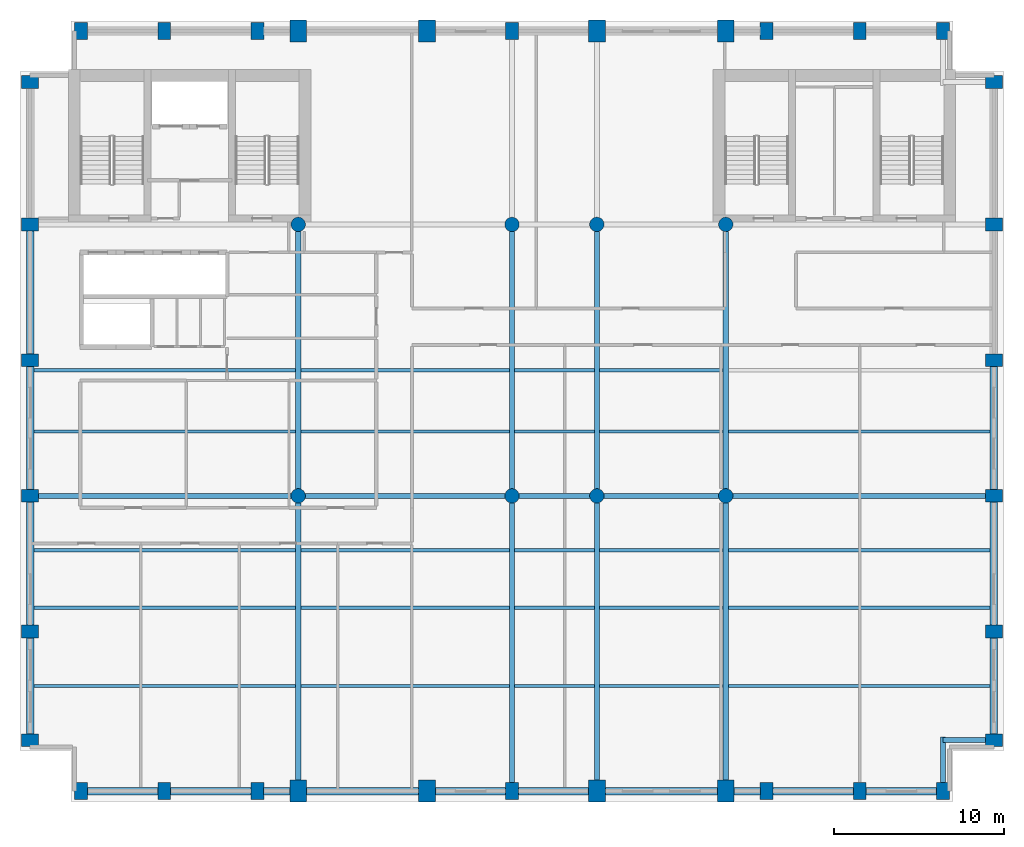
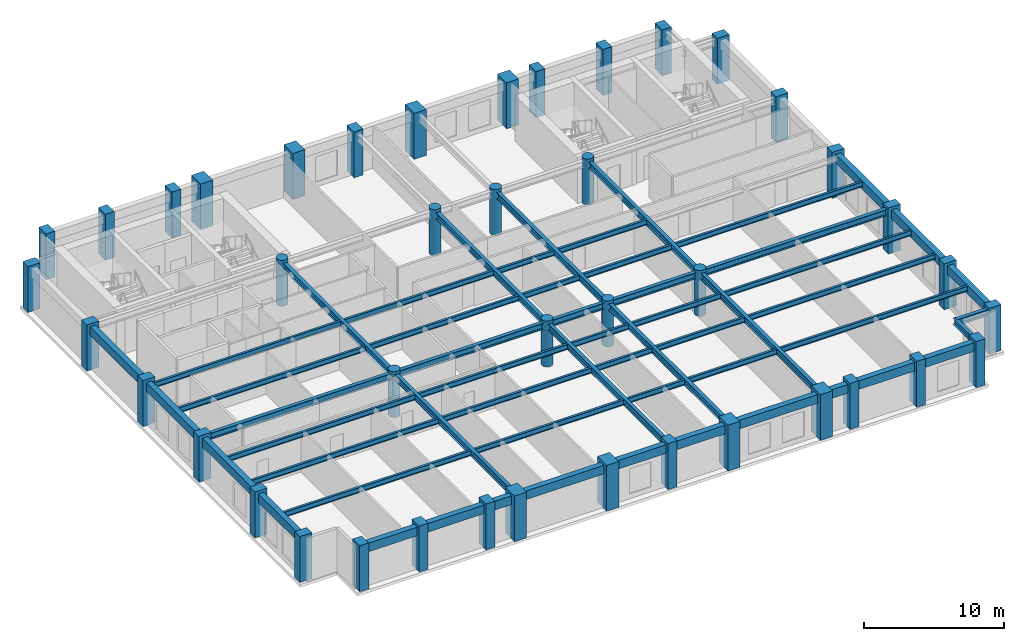
# One storey, part 1 of 8: 56 beams, 42 columns.
"""IFC4 building model written with IfcOpenShell, lengths in metres."""

from ifc_helpers import new_model, si_unit, direction, frame, origin, origin_2d, place, context, subcontext, project, spatial, rectangle, circle, i_section, extrude, material, material_profile, profile_set, type_object, element, save


model = new_model("IFC4")

# Units and contexts
model_context = context("Model", 3, precision=1e-05, world=origin(), true_north=direction((0.0, 1.0)))
body_context = subcontext(model_context, "Body", "Model", "MODEL_VIEW")
ifc_project = project(units=[si_unit("LENGTHUNIT", "METRE"), si_unit("AREAUNIT", "SQUARE_METRE"), si_unit("VOLUMEUNIT", "CUBIC_METRE"), si_unit("PLANEANGLEUNIT", "RADIAN"), si_unit("MASSUNIT", "GRAM", prefix="KILO")], contexts=[model_context])

# Site, building, storey
site_placement = place(None, origin())
site = spatial("IfcSite", under=ifc_project, at=site_placement, CompositionType="ELEMENT")
building_placement = place(site_placement, origin())
building = spatial("IfcBuilding", under=site, at=building_placement, Name="Sulina Concourse Tower", CompositionType="ELEMENT")
storey_placement = place(building_placement, frame((0.0, 0.0, 256.60009765625)))
storey = spatial("IfcBuildingStorey", under=building, at=storey_placement, Name="L62", CompositionType="ELEMENT", Elevation=256.60009765625)

# Columns
ifc_material_1 = material(Name="Precast concrete C50/60", Category="concrete")
ifc_material_profile_1 = material_profile(ifc_material_1, rectangle(XDim=0.75, YDim=1.0, at=origin_2d()), Name="PC 750x1000")
ifc_profile_set_1 = profile_set([ifc_material_profile_1], Name="Precast concrete C50/60")
column_type_1 = type_object("IfcColumnType", Name="Precast Tube Pier Zone 4 750x1000", PredefinedType="COLUMN", material=ifc_profile_set_1)
for number, where, z_axis, x_axis, name in (
    (1, (3.60009765625, 0.60009765625, 0.0), (0.0, 0.0, 1.0), (1.0, 0.0, 0.0), "L62 structural column TP-S-36"),
    (2, (3.60009765625, 45.39990234375, 0.0), (0.0, 0.0, 1.0), (1.0, 0.0, 0.0), "L62 structural column TP-N-36"),
    (3, (8.5, 0.60009765625, 0.0), (0.0, 0.0, 1.0), (1.0, 0.0, 0.0), "L62 structural column TP-S-85"),
    (4, (8.5, 45.39990234375, 0.0), (0.0, 0.0, 1.0), (1.0, 0.0, 0.0), "L62 structural column TP-N-85"),
    (5, (14.0, 0.60009765625, 0.0), (0.0, 0.0, 1.0), (1.0, 0.0, 0.0), "L62 structural column TP-S-140"),
    (6, (14.0, 45.39990234375, 0.0), (0.0, 0.0, 1.0), (1.0, 0.0, 0.0), "L62 structural column TP-N-140"),
    (7, (29.0, 0.60009765625, 0.0), (0.0, 0.0, 1.0), (1.0, 0.0, 0.0), "L62 structural column TP-S-290"),
    (8, (29.0, 45.39990234375, 0.0), (0.0, 0.0, 1.0), (1.0, 0.0, 0.0), "L62 structural column TP-N-290"),
    (9, (44.0, 0.60009765625, 0.0), (0.0, 0.0, 1.0), (1.0, 0.0, 0.0), "L62 structural column TP-S-440"),
    (10, (44.0, 45.39990234375, 0.0), (0.0, 0.0, 1.0), (1.0, 0.0, 0.0), "L62 structural column TP-N-440"),
    (11, (49.5, 0.60009765625, 0.0), (0.0, 0.0, 1.0), (1.0, 0.0, 0.0), "L62 structural column TP-S-495"),
    (12, (49.5, 45.39990234375, 0.0), (0.0, 0.0, 1.0), (1.0, 0.0, 0.0), "L62 structural column TP-N-495"),
    (13, (54.39990234375, 0.60009765625, 0.0), (0.0, 0.0, 1.0), (1.0, 0.0, 0.0), "L62 structural column TP-S-544"),
    (14, (54.39990234375, 45.39990234375, 0.0), (0.0, 0.0, 1.0), (1.0, 0.0, 0.0), "L62 structural column TP-N-544"),
    (15, (0.60009765625, 3.60009765625, 0.0), (0.0, 0.0, 1.0), (0.0, 1.0, 0.0), "L62 structural column TP-W-36"),
    (16, (57.39990234375, 3.60009765625, 0.0), (0.0, 0.0, 1.0), (0.0, 1.0, 0.0), "L62 structural column TP-E-36"),
    (17, (0.60009765625, 10.0, 0.0), (0.0, 0.0, 1.0), (0.0, 1.0, 0.0), "L62 structural column TP-W-100"),
    (18, (57.39990234375, 10.0, 0.0), (0.0, 0.0, 1.0), (0.0, 1.0, 0.0), "L62 structural column TP-E-100"),
    (19, (0.60009765625, 18.0, 0.0), (0.0, 0.0, 1.0), (0.0, 1.0, 0.0), "L62 structural column TP-W-180"),
    (20, (57.39990234375, 18.0, 0.0), (0.0, 0.0, 1.0), (0.0, 1.0, 0.0), "L62 structural column TP-E-180"),
    (21, (0.60009765625, 26.0, 0.0), (0.0, 0.0, 1.0), (0.0, 1.0, 0.0), "L62 structural column TP-W-260"),
    (22, (57.39990234375, 26.0, 0.0), (0.0, 0.0, 1.0), (0.0, 1.0, 0.0), "L62 structural column TP-E-260"),
    (23, (0.60009765625, 34.0, 0.0), (0.0, 0.0, 1.0), (0.0, 1.0, 0.0), "L62 structural column TP-W-340"),
    (24, (57.39990234375, 34.0, 0.0), (0.0, 0.0, 1.0), (0.0, 1.0, 0.0), "L62 structural column TP-E-340"),
    (25, (0.60009765625, 42.39990234375, 0.0), (0.0, 0.0, 1.0), (0.0, 1.0, 0.0), "L62 structural column TP-W-424"),
    (26, (57.39990234375, 42.39990234375, 0.0), (0.0, 0.0, 1.0), (0.0, 1.0, 0.0), "L62 structural column TP-E-424"),
):
    element("IfcColumn", number, at=place(storey_placement, frame(where, z_axis=z_axis, x_axis=x_axis)), inside=storey, type_object=column_type_1, Name=name, PredefinedType="COLUMN", context=body_context, shape_type="SweptSolid", body=[
        extrude(rectangle(XDim=0.75, YDim=1.0, at=origin_2d()), origin(), (0.0, 0.0, 1.0), 4.0),
    ])
ifc_material_2 = material(Name="Concrete C50/60", Category="concrete")
ifc_material_profile_2 = material_profile(ifc_material_2, circle(Radius=0.425048828125, at=origin_2d()), Name="RC D850")
ifc_profile_set_2 = profile_set([ifc_material_profile_2], Name="Concrete C50/60")
column_type_2 = type_object("IfcColumnType", Name="Upper Interior Circular Column D850", PredefinedType="COLUMN", material=ifc_profile_set_2)
for number, where, z_axis, x_axis, name in (
    (27, (16.39990234375, 18.0, 0.0), (0.0, 0.0, 1.0), (1.0, 0.0, 0.0), "L62 structural column IC-M-164"),
    (28, (16.39990234375, 34.0, 0.0), (0.0, 0.0, 1.0), (1.0, 0.0, 0.0), "L62 structural column IC-N-164"),
    (29, (29.0, 18.0, 0.0), (0.0, 0.0, 1.0), (1.0, 0.0, 0.0), "L62 structural column IC-M-290"),
    (30, (29.0, 34.0, 0.0), (0.0, 0.0, 1.0), (1.0, 0.0, 0.0), "L62 structural column IC-N-290"),
    (31, (41.60009765625, 18.0, 0.0), (0.0, 0.0, 1.0), (1.0, 0.0, 0.0), "L62 structural column IC-M-416"),
    (32, (41.60009765625, 34.0, 0.0), (0.0, 0.0, 1.0), (1.0, 0.0, 0.0), "L62 structural column IC-N-416"),
    (33, (34.0, 18.0, 0.0), (0.0, 0.0, 1.0), (1.0, 0.0, 0.0), "L62 structural column IC-M-340"),
    (34, (34.0, 34.0, 0.0), (0.0, 0.0, 1.0), (1.0, 0.0, 0.0), "L62 structural column IC-N-340"),
):
    element("IfcColumn", number, at=place(storey_placement, frame(where, z_axis=z_axis, x_axis=x_axis)), inside=storey, type_object=column_type_2, Name=name, PredefinedType="COLUMN", context=body_context, shape_type="SweptSolid", body=[
        extrude(circle(Radius=0.425048828125, at=origin_2d()), origin(), (0.0, 0.0, 1.0), 4.0),
    ])
ifc_material_3 = material(Name="Concrete C60/75", Category="concrete")
ifc_material_profile_3 = material_profile(ifc_material_3, rectangle(XDim=1.0, YDim=1.300048828125, at=origin_2d()), Name="RC 1000x1300")
ifc_profile_set_3 = profile_set([ifc_material_profile_3], Name="Concrete C60/75")
column_type_3 = type_object("IfcColumnType", Name="Upper Portal Column 1000x1300", PredefinedType="COLUMN", material=ifc_profile_set_3)
for number, where, z_axis, x_axis, name in (
    (35, (16.39990234375, 0.60009765625, 0.0), (0.0, 0.0, 1.0), (1.0, 0.0, 0.0), "L62 structural column TP-S-164"),
    (36, (16.39990234375, 45.39990234375, 0.0), (0.0, 0.0, 1.0), (1.0, 0.0, 0.0), "L62 structural column TP-N-164"),
    (37, (24.0, 0.60009765625, 0.0), (0.0, 0.0, 1.0), (1.0, 0.0, 0.0), "L62 structural column TP-S-240"),
    (38, (24.0, 45.39990234375, 0.0), (0.0, 0.0, 1.0), (1.0, 0.0, 0.0), "L62 structural column TP-N-240"),
    (39, (34.0, 0.60009765625, 0.0), (0.0, 0.0, 1.0), (1.0, 0.0, 0.0), "L62 structural column TP-S-340"),
    (40, (34.0, 45.39990234375, 0.0), (0.0, 0.0, 1.0), (1.0, 0.0, 0.0), "L62 structural column TP-N-340"),
    (41, (41.60009765625, 0.60009765625, 0.0), (0.0, 0.0, 1.0), (1.0, 0.0, 0.0), "L62 structural column TP-S-416"),
    (42, (41.60009765625, 45.39990234375, 0.0), (0.0, 0.0, 1.0), (1.0, 0.0, 0.0), "L62 structural column TP-N-416"),
):
    element("IfcColumn", number, at=place(storey_placement, frame(where, z_axis=z_axis, x_axis=x_axis)), inside=storey, type_object=column_type_3, Name=name, PredefinedType="COLUMN", context=body_context, shape_type="SweptSolid", body=[
        extrude(rectangle(XDim=1.0, YDim=1.300048828125, at=origin_2d()), origin(), (0.0, 0.0, 1.0), 4.0),
    ])

# Beams
ifc_material_4 = material(Name="Steel S355", Category="steel")
ifc_material_profile_4 = material_profile(ifc_material_4, i_section(OverallWidth=0.18994140625, OverallDepth=0.449951171875, WebThickness=0.009521484375, FlangeThickness=0.0146484375, at=origin_2d()), Name="IPE 450")
ifc_profile_set_4 = profile_set([ifc_material_profile_4], Name="Steel S355")
beam_type_1 = type_object("IfcBeamType", Name="Composite Floor Joist IPE450", PredefinedType="JOIST", material=ifc_profile_set_4)
beam_1_placement = place(storey_placement, frame((0.824951171875, 6.800048828125, 3.52490234375), z_axis=(1.0, 0.0, 0.0), x_axis=(0.0, 1.0, 0.0)))
element("IfcBeam", 43, at=beam_1_placement, inside=storey, type_object=beam_type_1, Name="FJ-J06-1-L62", PredefinedType="JOIST", context=body_context, shape_type="SweptSolid", body=[
    extrude(i_section(OverallWidth=0.18994140625, OverallDepth=0.449951171875, WebThickness=0.009521484375, FlangeThickness=0.0146484375, at=origin_2d()), origin(), (0.0, 0.0, 1.0), 15.425048828125),
])
beam_2_placement = place(storey_placement, frame((16.550048828125, 6.800048828125, 3.52490234375), z_axis=(1.0, 0.0, 0.0), x_axis=(0.0, 1.0, 0.0)))
element("IfcBeam", 44, at=beam_2_placement, inside=storey, type_object=beam_type_1, Name="FJ-J06-2-L62", PredefinedType="JOIST", context=body_context, shape_type="SweptSolid", body=[
    extrude(i_section(OverallWidth=0.18994140625, OverallDepth=0.449951171875, WebThickness=0.009521484375, FlangeThickness=0.0146484375, at=origin_2d()), origin(), (0.0, 0.0, 1.0), 12.300048828125),
])
beam_3_placement = place(storey_placement, frame((29.14990234375, 6.800048828125, 3.52490234375), z_axis=(1.0, 0.0, 0.0), x_axis=(0.0, 1.0, 0.0)))
element("IfcBeam", 45, at=beam_3_placement, inside=storey, type_object=beam_type_1, Name="FJ-J06-3-L62", PredefinedType="JOIST", context=body_context, shape_type="SweptSolid", body=[
    extrude(i_section(OverallWidth=0.18994140625, OverallDepth=0.449951171875, WebThickness=0.009521484375, FlangeThickness=0.0146484375, at=origin_2d()), origin(), (0.0, 0.0, 1.0), 4.7001953125),
])
beam_4_placement = place(storey_placement, frame((34.14990234375, 6.800048828125, 3.52490234375), z_axis=(1.0, 0.0, 0.0), x_axis=(0.0, 1.0, 0.0)))
element("IfcBeam", 46, at=beam_4_placement, inside=storey, type_object=beam_type_1, Name="FJ-J06-4-L62", PredefinedType="JOIST", context=body_context, shape_type="SweptSolid", body=[
    extrude(i_section(OverallWidth=0.18994140625, OverallDepth=0.449951171875, WebThickness=0.009521484375, FlangeThickness=0.0146484375, at=origin_2d()), origin(), (0.0, 0.0, 1.0), 7.300048828125),
])
for number, where, z_axis, x_axis, name in (
    (47, (41.75, 6.800048828125, 3.52490234375), (1.0, 0.0, 0.0), (0.0, 1.0, 0.0), "FJ-J06-5-L62"),
    (48, (0.824951171875, 11.39990234375, 3.52490234375), (1.0, 0.0, 0.0), (0.0, 1.0, 0.0), "FJ-J11-1-L62"),
):
    element("IfcBeam", number, at=place(storey_placement, frame(where, z_axis=z_axis, x_axis=x_axis)), inside=storey, type_object=beam_type_1, Name=name, PredefinedType="JOIST", context=body_context, shape_type="SweptSolid", body=[
        extrude(i_section(OverallWidth=0.18994140625, OverallDepth=0.449951171875, WebThickness=0.009521484375, FlangeThickness=0.0146484375, at=origin_2d()), origin(), (0.0, 0.0, 1.0), 15.425048828125),
    ])
beam_5_placement = place(storey_placement, frame((16.550048828125, 11.39990234375, 3.52490234375), z_axis=(1.0, 0.0, 0.0), x_axis=(0.0, 1.0, 0.0)))
element("IfcBeam", 49, at=beam_5_placement, inside=storey, type_object=beam_type_1, Name="FJ-J11-2-L62", PredefinedType="JOIST", context=body_context, shape_type="SweptSolid", body=[
    extrude(i_section(OverallWidth=0.18994140625, OverallDepth=0.449951171875, WebThickness=0.009521484375, FlangeThickness=0.0146484375, at=origin_2d()), origin(), (0.0, 0.0, 1.0), 12.300048828125),
])
beam_6_placement = place(storey_placement, frame((29.14990234375, 11.39990234375, 3.52490234375), z_axis=(1.0, 0.0, 0.0), x_axis=(0.0, 1.0, 0.0)))
element("IfcBeam", 50, at=beam_6_placement, inside=storey, type_object=beam_type_1, Name="FJ-J11-3-L62", PredefinedType="JOIST", context=body_context, shape_type="SweptSolid", body=[
    extrude(i_section(OverallWidth=0.18994140625, OverallDepth=0.449951171875, WebThickness=0.009521484375, FlangeThickness=0.0146484375, at=origin_2d()), origin(), (0.0, 0.0, 1.0), 4.7001953125),
])
beam_7_placement = place(storey_placement, frame((34.14990234375, 11.39990234375, 3.52490234375), z_axis=(1.0, 0.0, 0.0), x_axis=(0.0, 1.0, 0.0)))
element("IfcBeam", 51, at=beam_7_placement, inside=storey, type_object=beam_type_1, Name="FJ-J11-4-L62", PredefinedType="JOIST", context=body_context, shape_type="SweptSolid", body=[
    extrude(i_section(OverallWidth=0.18994140625, OverallDepth=0.449951171875, WebThickness=0.009521484375, FlangeThickness=0.0146484375, at=origin_2d()), origin(), (0.0, 0.0, 1.0), 7.300048828125),
])
for number, where, z_axis, x_axis, name in (
    (52, (41.75, 11.39990234375, 3.52490234375), (1.0, 0.0, 0.0), (0.0, 1.0, 0.0), "FJ-J11-5-L62"),
    (53, (0.824951171875, 14.800048828125, 3.52490234375), (1.0, 0.0, 0.0), (0.0, 1.0, 0.0), "FJ-J15-1-L62"),
):
    element("IfcBeam", number, at=place(storey_placement, frame(where, z_axis=z_axis, x_axis=x_axis)), inside=storey, type_object=beam_type_1, Name=name, PredefinedType="JOIST", context=body_context, shape_type="SweptSolid", body=[
        extrude(i_section(OverallWidth=0.18994140625, OverallDepth=0.449951171875, WebThickness=0.009521484375, FlangeThickness=0.0146484375, at=origin_2d()), origin(), (0.0, 0.0, 1.0), 15.425048828125),
    ])
beam_8_placement = place(storey_placement, frame((16.550048828125, 14.800048828125, 3.52490234375), z_axis=(1.0, 0.0, 0.0), x_axis=(0.0, 1.0, 0.0)))
element("IfcBeam", 54, at=beam_8_placement, inside=storey, type_object=beam_type_1, Name="FJ-J15-2-L62", PredefinedType="JOIST", context=body_context, shape_type="SweptSolid", body=[
    extrude(i_section(OverallWidth=0.18994140625, OverallDepth=0.449951171875, WebThickness=0.009521484375, FlangeThickness=0.0146484375, at=origin_2d()), origin(), (0.0, 0.0, 1.0), 12.300048828125),
])
beam_9_placement = place(storey_placement, frame((29.14990234375, 14.800048828125, 3.52490234375), z_axis=(1.0, 0.0, 0.0), x_axis=(0.0, 1.0, 0.0)))
element("IfcBeam", 55, at=beam_9_placement, inside=storey, type_object=beam_type_1, Name="FJ-J15-3-L62", PredefinedType="JOIST", context=body_context, shape_type="SweptSolid", body=[
    extrude(i_section(OverallWidth=0.18994140625, OverallDepth=0.449951171875, WebThickness=0.009521484375, FlangeThickness=0.0146484375, at=origin_2d()), origin(), (0.0, 0.0, 1.0), 4.7001953125),
])
beam_10_placement = place(storey_placement, frame((34.14990234375, 14.800048828125, 3.52490234375), z_axis=(1.0, 0.0, 0.0), x_axis=(0.0, 1.0, 0.0)))
element("IfcBeam", 56, at=beam_10_placement, inside=storey, type_object=beam_type_1, Name="FJ-J15-4-L62", PredefinedType="JOIST", context=body_context, shape_type="SweptSolid", body=[
    extrude(i_section(OverallWidth=0.18994140625, OverallDepth=0.449951171875, WebThickness=0.009521484375, FlangeThickness=0.0146484375, at=origin_2d()), origin(), (0.0, 0.0, 1.0), 7.300048828125),
])
for number, where, z_axis, x_axis, name in (
    (57, (41.75, 14.800048828125, 3.52490234375), (1.0, 0.0, 0.0), (0.0, 1.0, 0.0), "FJ-J15-5-L62"),
    (58, (0.824951171875, 21.800048828125, 3.52490234375), (1.0, 0.0, 0.0), (0.0, 1.0, 0.0), "FJ-J22-1-L62"),
):
    element("IfcBeam", number, at=place(storey_placement, frame(where, z_axis=z_axis, x_axis=x_axis)), inside=storey, type_object=beam_type_1, Name=name, PredefinedType="JOIST", context=body_context, shape_type="SweptSolid", body=[
        extrude(i_section(OverallWidth=0.18994140625, OverallDepth=0.449951171875, WebThickness=0.009521484375, FlangeThickness=0.0146484375, at=origin_2d()), origin(), (0.0, 0.0, 1.0), 15.425048828125),
    ])
beam_11_placement = place(storey_placement, frame((16.550048828125, 21.800048828125, 3.52490234375), z_axis=(1.0, 0.0, 0.0), x_axis=(0.0, 1.0, 0.0)))
element("IfcBeam", 59, at=beam_11_placement, inside=storey, type_object=beam_type_1, Name="FJ-J22-2-L62", PredefinedType="JOIST", context=body_context, shape_type="SweptSolid", body=[
    extrude(i_section(OverallWidth=0.18994140625, OverallDepth=0.449951171875, WebThickness=0.009521484375, FlangeThickness=0.0146484375, at=origin_2d()), origin(), (0.0, 0.0, 1.0), 12.300048828125),
])
beam_12_placement = place(storey_placement, frame((29.14990234375, 21.800048828125, 3.52490234375), z_axis=(1.0, 0.0, 0.0), x_axis=(0.0, 1.0, 0.0)))
element("IfcBeam", 60, at=beam_12_placement, inside=storey, type_object=beam_type_1, Name="FJ-J22-3-L62", PredefinedType="JOIST", context=body_context, shape_type="SweptSolid", body=[
    extrude(i_section(OverallWidth=0.18994140625, OverallDepth=0.449951171875, WebThickness=0.009521484375, FlangeThickness=0.0146484375, at=origin_2d()), origin(), (0.0, 0.0, 1.0), 4.7001953125),
])
beam_13_placement = place(storey_placement, frame((34.14990234375, 21.800048828125, 3.52490234375), z_axis=(1.0, 0.0, 0.0), x_axis=(0.0, 1.0, 0.0)))
element("IfcBeam", 61, at=beam_13_placement, inside=storey, type_object=beam_type_1, Name="FJ-J22-4-L62", PredefinedType="JOIST", context=body_context, shape_type="SweptSolid", body=[
    extrude(i_section(OverallWidth=0.18994140625, OverallDepth=0.449951171875, WebThickness=0.009521484375, FlangeThickness=0.0146484375, at=origin_2d()), origin(), (0.0, 0.0, 1.0), 7.300048828125),
])
for number, where, z_axis, x_axis, name in (
    (62, (41.75, 21.800048828125, 3.52490234375), (1.0, 0.0, 0.0), (0.0, 1.0, 0.0), "FJ-J22-5-L62"),
    (63, (0.824951171875, 25.39990234375, 3.52490234375), (1.0, 0.0, 0.0), (0.0, 1.0, 0.0), "FJ-J25-1-L62"),
):
    element("IfcBeam", number, at=place(storey_placement, frame(where, z_axis=z_axis, x_axis=x_axis)), inside=storey, type_object=beam_type_1, Name=name, PredefinedType="JOIST", context=body_context, shape_type="SweptSolid", body=[
        extrude(i_section(OverallWidth=0.18994140625, OverallDepth=0.449951171875, WebThickness=0.009521484375, FlangeThickness=0.0146484375, at=origin_2d()), origin(), (0.0, 0.0, 1.0), 15.425048828125),
    ])
beam_14_placement = place(storey_placement, frame((16.550048828125, 25.39990234375, 3.52490234375), z_axis=(1.0, 0.0, 0.0), x_axis=(0.0, 1.0, 0.0)))
element("IfcBeam", 64, at=beam_14_placement, inside=storey, type_object=beam_type_1, Name="FJ-J25-2-L62", PredefinedType="JOIST", context=body_context, shape_type="SweptSolid", body=[
    extrude(i_section(OverallWidth=0.18994140625, OverallDepth=0.449951171875, WebThickness=0.009521484375, FlangeThickness=0.0146484375, at=origin_2d()), origin(), (0.0, 0.0, 1.0), 12.300048828125),
])
beam_15_placement = place(storey_placement, frame((29.14990234375, 25.39990234375, 3.52490234375), z_axis=(1.0, 0.0, 0.0), x_axis=(0.0, 1.0, 0.0)))
element("IfcBeam", 65, at=beam_15_placement, inside=storey, type_object=beam_type_1, Name="FJ-J25-3-L62", PredefinedType="JOIST", context=body_context, shape_type="SweptSolid", body=[
    extrude(i_section(OverallWidth=0.18994140625, OverallDepth=0.449951171875, WebThickness=0.009521484375, FlangeThickness=0.0146484375, at=origin_2d()), origin(), (0.0, 0.0, 1.0), 4.7001953125),
])
beam_16_placement = place(storey_placement, frame((34.14990234375, 25.39990234375, 3.52490234375), z_axis=(1.0, 0.0, 0.0), x_axis=(0.0, 1.0, 0.0)))
element("IfcBeam", 66, at=beam_16_placement, inside=storey, type_object=beam_type_1, Name="FJ-J25-4-L62", PredefinedType="JOIST", context=body_context, shape_type="SweptSolid", body=[
    extrude(i_section(OverallWidth=0.18994140625, OverallDepth=0.449951171875, WebThickness=0.009521484375, FlangeThickness=0.0146484375, at=origin_2d()), origin(), (0.0, 0.0, 1.0), 7.300048828125),
])
ifc_material_5 = material(Name="Steel S355", Category="steel")
ifc_material_profile_5 = material_profile(ifc_material_5, i_section(OverallWidth=0.300048828125, OverallDepth=0.550048828125, WebThickness=0.014892578125, FlangeThickness=0.029052734375, at=origin_2d()), Name="HE 550 B")
ifc_profile_set_5 = profile_set([ifc_material_profile_5], Name="Steel S355")
beam_type_2 = type_object("IfcBeamType", Name="Floor Primary Girder Zone 4 HE550B", PredefinedType="BEAM", material=ifc_profile_set_5)
beam_17_placement = place(storey_placement, frame((54.39990234375, 3.60009765625, 3.474853515625), z_axis=(1.0, 0.0, 0.0), x_axis=(0.0, 1.0, 0.0)))
element("IfcBeam", 67, at=beam_17_placement, inside=storey, type_object=beam_type_2, Name="TIE-SE-L62", PredefinedType="BEAM", context=body_context, shape_type="SweptSolid", body=[
    extrude(i_section(OverallWidth=0.300048828125, OverallDepth=0.550048828125, WebThickness=0.014892578125, FlangeThickness=0.029052734375, at=origin_2d()), origin(), (0.0, 0.0, 1.0), 2.64501953125),
])
beam_18_placement = place(storey_placement, frame((54.39990234375, 0.955078125, 3.474853515625), z_axis=(0.0, 1.0, 0.0), x_axis=(-1.0, 0.0, 0.0)))
element("IfcBeam", 68, at=beam_18_placement, inside=storey, type_object=beam_type_2, Name="TIE-SES-L62", PredefinedType="BEAM", context=body_context, shape_type="SweptSolid", body=[
    extrude(i_section(OverallWidth=0.300048828125, OverallDepth=0.550048828125, WebThickness=0.014892578125, FlangeThickness=0.029052734375, at=origin_2d()), origin(), (0.0, 0.0, 1.0), 2.844970703125),
])
beam_19_placement = place(storey_placement, frame((0.955078125, 18.0, 3.474853515625), z_axis=(1.0, 0.0, 0.0), x_axis=(0.0, 1.0, 0.0)))
element("IfcBeam", 69, at=beam_19_placement, inside=storey, type_object=beam_type_2, Name="FG-EW1-L62", PredefinedType="BEAM", context=body_context, shape_type="SweptSolid", body=[
    extrude(i_section(OverallWidth=0.300048828125, OverallDepth=0.550048828125, WebThickness=0.014892578125, FlangeThickness=0.029052734375, at=origin_2d()), origin(), (0.0, 0.0, 1.0), 15.0400390625),
])
beam_20_placement = place(storey_placement, frame((16.804931640625, 18.0, 3.474853515625), z_axis=(1.0, 0.0, 0.0), x_axis=(0.0, 1.0, 0.0)))
element("IfcBeam", 70, at=beam_20_placement, inside=storey, type_object=beam_type_2, Name="FG-EW2-L62", PredefinedType="BEAM", context=body_context, shape_type="SweptSolid", body=[
    extrude(i_section(OverallWidth=0.300048828125, OverallDepth=0.550048828125, WebThickness=0.014892578125, FlangeThickness=0.029052734375, at=origin_2d()), origin(), (0.0, 0.0, 1.0), 11.7900390625),
])
beam_21_placement = place(storey_placement, frame((29.405029296875, 18.0, 3.474853515625), z_axis=(1.0, 0.0, 0.0), x_axis=(0.0, 1.0, 0.0)))
element("IfcBeam", 71, at=beam_21_placement, inside=storey, type_object=beam_type_2, Name="FG-EW3-L62", PredefinedType="BEAM", context=body_context, shape_type="SweptSolid", body=[
    extrude(i_section(OverallWidth=0.300048828125, OverallDepth=0.550048828125, WebThickness=0.014892578125, FlangeThickness=0.029052734375, at=origin_2d()), origin(), (0.0, 0.0, 1.0), 4.18994140625),
])
beam_22_placement = place(storey_placement, frame((34.405029296875, 18.0, 3.474853515625), z_axis=(1.0, 0.0, 0.0), x_axis=(0.0, 1.0, 0.0)))
element("IfcBeam", 72, at=beam_22_placement, inside=storey, type_object=beam_type_2, Name="FG-EW4-L62", PredefinedType="BEAM", context=body_context, shape_type="SweptSolid", body=[
    extrude(i_section(OverallWidth=0.300048828125, OverallDepth=0.550048828125, WebThickness=0.014892578125, FlangeThickness=0.029052734375, at=origin_2d()), origin(), (0.0, 0.0, 1.0), 6.7900390625),
])
beam_23_placement = place(storey_placement, frame((42.0048828125, 18.0, 3.474853515625), z_axis=(1.0, 0.0, 0.0), x_axis=(0.0, 1.0, 0.0)))
element("IfcBeam", 73, at=beam_23_placement, inside=storey, type_object=beam_type_2, Name="FG-EW5-L62", PredefinedType="BEAM", context=body_context, shape_type="SweptSolid", body=[
    extrude(i_section(OverallWidth=0.300048828125, OverallDepth=0.550048828125, WebThickness=0.014892578125, FlangeThickness=0.029052734375, at=origin_2d()), origin(), (0.0, 0.0, 1.0), 15.0400390625),
])
beam_24_placement = place(storey_placement, frame((16.39990234375, 1.080078125, 3.474853515625), z_axis=(0.0, 1.0, 0.0), x_axis=(-1.0, 0.0, 0.0)))
element("IfcBeam", 74, at=beam_24_placement, inside=storey, type_object=beam_type_2, Name="FG-NSA-16-L62", PredefinedType="BEAM", context=body_context, shape_type="SweptSolid", body=[
    extrude(i_section(OverallWidth=0.300048828125, OverallDepth=0.550048828125, WebThickness=0.014892578125, FlangeThickness=0.029052734375, at=origin_2d()), origin(), (0.0, 0.0, 1.0), 16.514892578125),
])
beam_25_placement = place(storey_placement, frame((16.39990234375, 18.405029296875, 3.474853515625), z_axis=(0.0, 1.0, 0.0), x_axis=(-1.0, 0.0, 0.0)))
element("IfcBeam", 75, at=beam_25_placement, inside=storey, type_object=beam_type_2, Name="FG-NSB-16-L62", PredefinedType="BEAM", context=body_context, shape_type="SweptSolid", body=[
    extrude(i_section(OverallWidth=0.300048828125, OverallDepth=0.550048828125, WebThickness=0.014892578125, FlangeThickness=0.029052734375, at=origin_2d()), origin(), (0.0, 0.0, 1.0), 15.18994140625),
])
beam_26_placement = place(storey_placement, frame((29.0, 0.955078125, 3.474853515625), z_axis=(0.0, 1.0, 0.0), x_axis=(-1.0, 0.0, 0.0)))
element("IfcBeam", 76, at=beam_26_placement, inside=storey, type_object=beam_type_2, Name="FG-NSA-29-L62", PredefinedType="BEAM", context=body_context, shape_type="SweptSolid", body=[
    extrude(i_section(OverallWidth=0.300048828125, OverallDepth=0.550048828125, WebThickness=0.014892578125, FlangeThickness=0.029052734375, at=origin_2d()), origin(), (0.0, 0.0, 1.0), 16.639892578125),
])
beam_27_placement = place(storey_placement, frame((29.0, 18.405029296875, 3.474853515625), z_axis=(0.0, 1.0, 0.0), x_axis=(-1.0, 0.0, 0.0)))
element("IfcBeam", 77, at=beam_27_placement, inside=storey, type_object=beam_type_2, Name="FG-NSB-29-L62", PredefinedType="BEAM", context=body_context, shape_type="SweptSolid", body=[
    extrude(i_section(OverallWidth=0.300048828125, OverallDepth=0.550048828125, WebThickness=0.014892578125, FlangeThickness=0.029052734375, at=origin_2d()), origin(), (0.0, 0.0, 1.0), 15.18994140625),
])
beam_28_placement = place(storey_placement, frame((34.0, 1.080078125, 3.474853515625), z_axis=(0.0, 1.0, 0.0), x_axis=(-1.0, 0.0, 0.0)))
element("IfcBeam", 78, at=beam_28_placement, inside=storey, type_object=beam_type_2, Name="FG-NSA-34-L62", PredefinedType="BEAM", context=body_context, shape_type="SweptSolid", body=[
    extrude(i_section(OverallWidth=0.300048828125, OverallDepth=0.550048828125, WebThickness=0.014892578125, FlangeThickness=0.029052734375, at=origin_2d()), origin(), (0.0, 0.0, 1.0), 16.514892578125),
])
beam_29_placement = place(storey_placement, frame((34.0, 18.405029296875, 3.474853515625), z_axis=(0.0, 1.0, 0.0), x_axis=(-1.0, 0.0, 0.0)))
element("IfcBeam", 79, at=beam_29_placement, inside=storey, type_object=beam_type_2, Name="FG-NSB-34-L62", PredefinedType="BEAM", context=body_context, shape_type="SweptSolid", body=[
    extrude(i_section(OverallWidth=0.300048828125, OverallDepth=0.550048828125, WebThickness=0.014892578125, FlangeThickness=0.029052734375, at=origin_2d()), origin(), (0.0, 0.0, 1.0), 15.18994140625),
])
beam_30_placement = place(storey_placement, frame((41.60009765625, 1.080078125, 3.474853515625), z_axis=(0.0, 1.0, 0.0), x_axis=(-1.0, 0.0, 0.0)))
element("IfcBeam", 80, at=beam_30_placement, inside=storey, type_object=beam_type_2, Name="FG-NSA-41-L62", PredefinedType="BEAM", context=body_context, shape_type="SweptSolid", body=[
    extrude(i_section(OverallWidth=0.300048828125, OverallDepth=0.550048828125, WebThickness=0.014892578125, FlangeThickness=0.029052734375, at=origin_2d()), origin(), (0.0, 0.0, 1.0), 16.514892578125),
])
beam_31_placement = place(storey_placement, frame((41.60009765625, 18.405029296875, 3.474853515625), z_axis=(0.0, 1.0, 0.0), x_axis=(-1.0, 0.0, 0.0)))
element("IfcBeam", 81, at=beam_31_placement, inside=storey, type_object=beam_type_2, Name="FG-NSB-41-L62", PredefinedType="BEAM", context=body_context, shape_type="SweptSolid", body=[
    extrude(i_section(OverallWidth=0.300048828125, OverallDepth=0.550048828125, WebThickness=0.014892578125, FlangeThickness=0.029052734375, at=origin_2d()), origin(), (0.0, 0.0, 1.0), 15.18994140625),
])
ifc_material_6 = material(Name="Precast concrete C50/60", Category="concrete")
ifc_material_profile_6 = material_profile(ifc_material_6, rectangle(XDim=0.449951171875, YDim=0.75, at=origin_2d()), Name="RC 450x750")
ifc_profile_set_6 = profile_set([ifc_material_profile_6], Name="Precast concrete C50/60")
beam_type_3 = type_object("IfcBeamType", Name="Upper Precast Spandrel Edge Beam 450x750", PredefinedType="BEAM", material=ifc_profile_set_6)
beam_32_placement = place(storey_placement, frame((3.955078125, 0.60009765625, 3.375), z_axis=(1.0, 0.0, 0.0), x_axis=(0.0, 1.0, 0.0)))
element("IfcBeam", 82, at=beam_32_placement, inside=storey, type_object=beam_type_3, Name="SP-S1-L62", PredefinedType="BEAM", context=body_context, shape_type="SweptSolid", body=[
    extrude(rectangle(XDim=0.449951171875, YDim=0.75, at=origin_2d()), origin(), (0.0, 0.0, 1.0), 4.18994140625),
])
beam_33_placement = place(storey_placement, frame((8.85498046875, 0.60009765625, 3.375), z_axis=(1.0, 0.0, 0.0), x_axis=(0.0, 1.0, 0.0)))
element("IfcBeam", 83, at=beam_33_placement, inside=storey, type_object=beam_type_3, Name="SP-S2-L62", PredefinedType="BEAM", context=body_context, shape_type="SweptSolid", body=[
    extrude(rectangle(XDim=0.449951171875, YDim=0.75, at=origin_2d()), origin(), (0.0, 0.0, 1.0), 4.7900390625),
])
beam_34_placement = place(storey_placement, frame((14.35498046875, 0.60009765625, 3.375), z_axis=(1.0, 0.0, 0.0), x_axis=(0.0, 1.0, 0.0)))
element("IfcBeam", 84, at=beam_34_placement, inside=storey, type_object=beam_type_3, Name="SP-S3-L62", PredefinedType="BEAM", context=body_context, shape_type="SweptSolid", body=[
    extrude(rectangle(XDim=0.449951171875, YDim=0.75, at=origin_2d()), origin(), (0.0, 0.0, 1.0), 1.56494140625),
])
beam_35_placement = place(storey_placement, frame((16.8798828125, 0.60009765625, 3.375), z_axis=(1.0, 0.0, 0.0), x_axis=(0.0, 1.0, 0.0)))
element("IfcBeam", 85, at=beam_35_placement, inside=storey, type_object=beam_type_3, Name="SP-S4-L62", PredefinedType="BEAM", context=body_context, shape_type="SweptSolid", body=[
    extrude(rectangle(XDim=0.449951171875, YDim=0.75, at=origin_2d()), origin(), (0.0, 0.0, 1.0), 6.64013671875),
])
for number, where, z_axis, x_axis, name in (
    (86, (24.47998046875, 0.60009765625, 3.375), (1.0, 0.0, 0.0), (0.0, 1.0, 0.0), "SP-S5-L62"),
    (87, (29.35498046875, 0.60009765625, 3.375), (1.0, 0.0, 0.0), (0.0, 1.0, 0.0), "SP-S6-L62"),
):
    element("IfcBeam", number, at=place(storey_placement, frame(where, z_axis=z_axis, x_axis=x_axis)), inside=storey, type_object=beam_type_3, Name=name, PredefinedType="BEAM", context=body_context, shape_type="SweptSolid", body=[
        extrude(rectangle(XDim=0.449951171875, YDim=0.75, at=origin_2d()), origin(), (0.0, 0.0, 1.0), 4.1650390625),
    ])
beam_36_placement = place(storey_placement, frame((34.47998046875, 0.60009765625, 3.375), z_axis=(1.0, 0.0, 0.0), x_axis=(0.0, 1.0, 0.0)))
element("IfcBeam", 88, at=beam_36_placement, inside=storey, type_object=beam_type_3, Name="SP-S7-L62", PredefinedType="BEAM", context=body_context, shape_type="SweptSolid", body=[
    extrude(rectangle(XDim=0.449951171875, YDim=0.75, at=origin_2d()), origin(), (0.0, 0.0, 1.0), 6.64013671875),
])
beam_37_placement = place(storey_placement, frame((42.080078125, 0.60009765625, 3.375), z_axis=(1.0, 0.0, 0.0), x_axis=(0.0, 1.0, 0.0)))
element("IfcBeam", 89, at=beam_37_placement, inside=storey, type_object=beam_type_3, Name="SP-S8-L62", PredefinedType="BEAM", context=body_context, shape_type="SweptSolid", body=[
    extrude(rectangle(XDim=0.449951171875, YDim=0.75, at=origin_2d()), origin(), (0.0, 0.0, 1.0), 1.56494140625),
])
beam_38_placement = place(storey_placement, frame((44.35498046875, 0.60009765625, 3.375), z_axis=(1.0, 0.0, 0.0), x_axis=(0.0, 1.0, 0.0)))
element("IfcBeam", 90, at=beam_38_placement, inside=storey, type_object=beam_type_3, Name="SP-S9-L62", PredefinedType="BEAM", context=body_context, shape_type="SweptSolid", body=[
    extrude(rectangle(XDim=0.449951171875, YDim=0.75, at=origin_2d()), origin(), (0.0, 0.0, 1.0), 4.7900390625),
])
beam_39_placement = place(storey_placement, frame((49.85498046875, 0.60009765625, 3.375), z_axis=(1.0, 0.0, 0.0), x_axis=(0.0, 1.0, 0.0)))
element("IfcBeam", 91, at=beam_39_placement, inside=storey, type_object=beam_type_3, Name="SP-S10-L62", PredefinedType="BEAM", context=body_context, shape_type="SweptSolid", body=[
    extrude(rectangle(XDim=0.449951171875, YDim=0.75, at=origin_2d()), origin(), (0.0, 0.0, 1.0), 4.18994140625),
])
beam_40_placement = place(storey_placement, frame((0.60009765625, 3.955078125, 3.375), z_axis=(0.0, 1.0, 0.0), x_axis=(-1.0, 0.0, 0.0)))
element("IfcBeam", 92, at=beam_40_placement, inside=storey, type_object=beam_type_3, Name="SP-W1-L62", PredefinedType="BEAM", context=body_context, shape_type="SweptSolid", body=[
    extrude(rectangle(XDim=0.449951171875, YDim=0.75, at=origin_2d()), origin(), (0.0, 0.0, 1.0), 5.68994140625),
])
for number, where, z_axis, x_axis, name in (
    (93, (0.60009765625, 10.35498046875, 3.375), (0.0, 1.0, 0.0), (-1.0, 0.0, 0.0), "SP-W2-L62"),
    (94, (0.60009765625, 18.35498046875, 3.375), (0.0, 1.0, 0.0), (-1.0, 0.0, 0.0), "SP-W3-L62"),
    (95, (0.60009765625, 26.35498046875, 3.375), (0.0, 1.0, 0.0), (-1.0, 0.0, 0.0), "SP-W4-L62"),
):
    element("IfcBeam", number, at=place(storey_placement, frame(where, z_axis=z_axis, x_axis=x_axis)), inside=storey, type_object=beam_type_3, Name=name, PredefinedType="BEAM", context=body_context, shape_type="SweptSolid", body=[
        extrude(rectangle(XDim=0.449951171875, YDim=0.75, at=origin_2d()), origin(), (0.0, 0.0, 1.0), 7.2900390625),
    ])
beam_41_placement = place(storey_placement, frame((57.39990234375, 3.955078125, 3.375), z_axis=(0.0, 1.0, 0.0), x_axis=(-1.0, 0.0, 0.0)))
element("IfcBeam", 96, at=beam_41_placement, inside=storey, type_object=beam_type_3, Name="SP-E1-L62", PredefinedType="BEAM", context=body_context, shape_type="SweptSolid", body=[
    extrude(rectangle(XDim=0.449951171875, YDim=0.75, at=origin_2d()), origin(), (0.0, 0.0, 1.0), 5.68994140625),
])
for number, where, z_axis, x_axis, name in (
    (97, (57.39990234375, 10.35498046875, 3.375), (0.0, 1.0, 0.0), (-1.0, 0.0, 0.0), "SP-E2-L62"),
    (98, (57.39990234375, 18.35498046875, 3.375), (0.0, 1.0, 0.0), (-1.0, 0.0, 0.0), "SP-E3-L62"),
):
    element("IfcBeam", number, at=place(storey_placement, frame(where, z_axis=z_axis, x_axis=x_axis)), inside=storey, type_object=beam_type_3, Name=name, PredefinedType="BEAM", context=body_context, shape_type="SweptSolid", body=[
        extrude(rectangle(XDim=0.449951171875, YDim=0.75, at=origin_2d()), origin(), (0.0, 0.0, 1.0), 7.2900390625),
    ])

save(model, "model.ifc")
